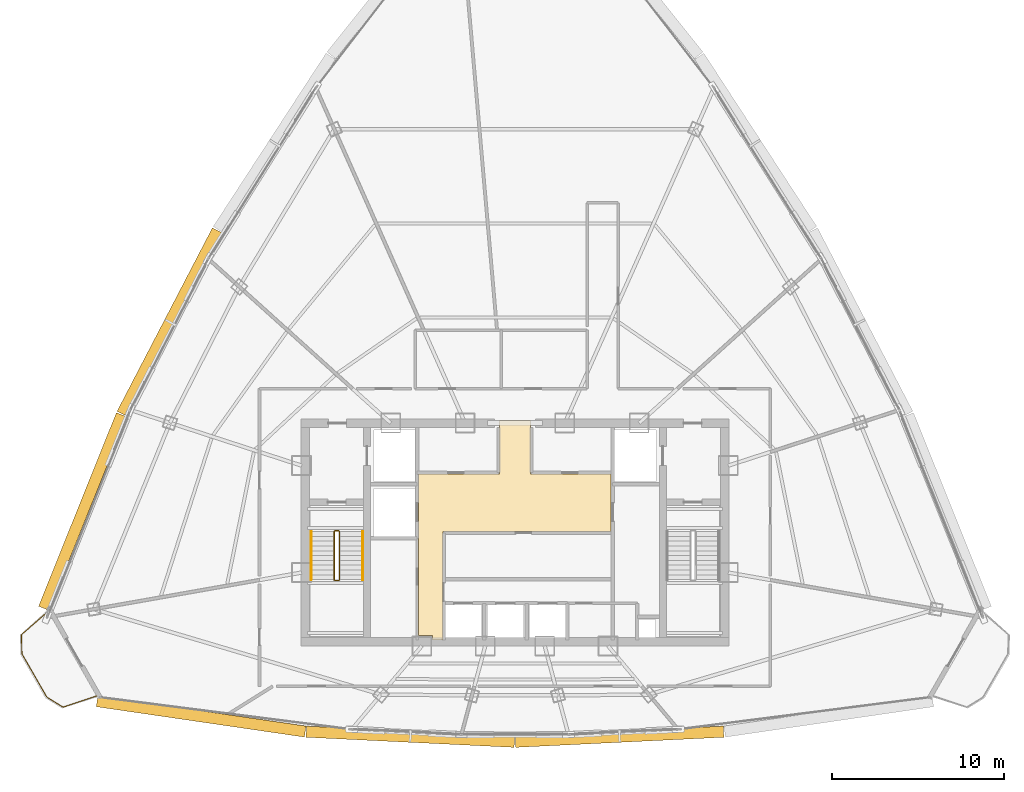
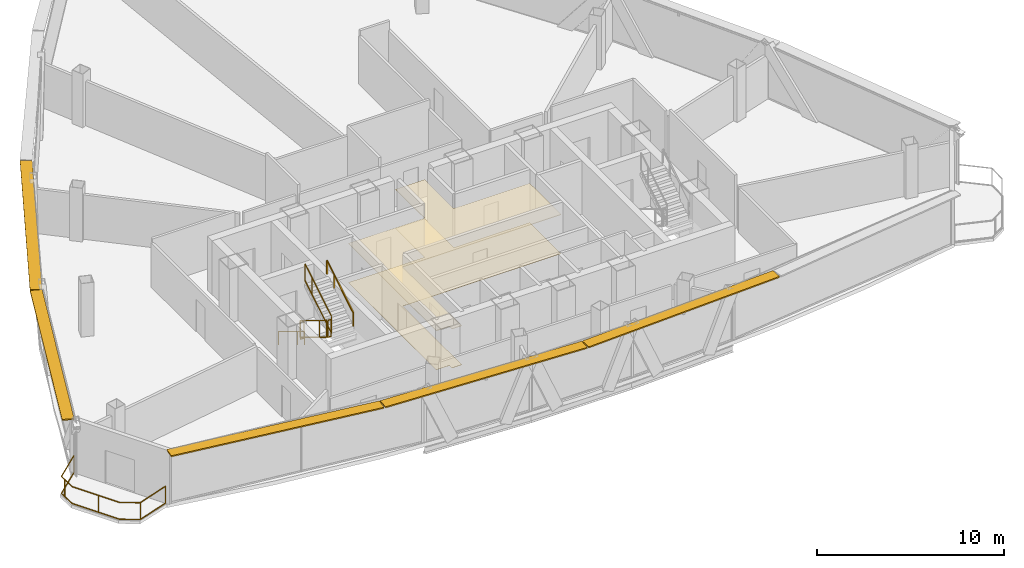
# One storey, part 28 of 30: 7 railings, 5 shading devices, 2 coverings.
"""IFC4 building model written with IfcOpenShell, lengths in metres."""

from ifc_helpers import new_model, si_unit, direction, frame, origin, origin_2d, place, context, subcontext, project, spatial, polyline, rectangle, outline, extrude, source, transform, mapped, material, layer, layer_set, type_object, element, save


model = new_model("IFC4")

# Units and contexts
model_context = context("Model", 3, precision=1e-05, world=origin(), true_north=direction((0.0, 1.0)))
body_context = subcontext(model_context, "Body", "Model", "MODEL_VIEW")
ifc_project = project(units=[si_unit("LENGTHUNIT", "METRE"), si_unit("AREAUNIT", "SQUARE_METRE"), si_unit("VOLUMEUNIT", "CUBIC_METRE"), si_unit("PLANEANGLEUNIT", "RADIAN"), si_unit("MASSUNIT", "GRAM", prefix="KILO"), si_unit("THERMODYNAMICTEMPERATUREUNIT", "KELVIN"), si_unit("POWERUNIT", "WATT")], contexts=[model_context])

# Site, building, storey
site_placement = place(None, origin())
site = spatial("IfcSite", under=ifc_project, at=site_placement, CompositionType="ELEMENT")
building_placement = place(site_placement, origin())
building = spatial("IfcBuilding", under=site, at=building_placement, Name="Yunzhuo Pagoda Commons", CompositionType="ELEMENT")
storey_placement = place(building_placement, frame((0.0, 0.0, 348.010009765625)))
storey = spatial("IfcBuildingStorey", under=building, at=storey_placement, Name="L87", CompositionType="ELEMENT", Elevation=348.010009765625)

# Coverings
ifc_material_1 = material(Name="Micro-perforated metal baffle ceiling")
ifc_layer_1 = layer(ifc_material_1, 0.034912109375)
ifc_layer_set_1 = layer_set([ifc_layer_1], Name="Micro-perforated metal baffle ceiling")
covering_type_1 = type_object("IfcCoveringType", Name="COV-CL3 Ceiling 35", PredefinedType="CEILING", material=ifc_layer_set_1)
covering_1_placement = place(storey_placement, frame((0.0, 0.0, 2.5400390625)))
element("IfcCovering", 1, at=covering_1_placement, inside=storey, type_object=covering_type_1, Name="L87 lift lobby acoustic ceiling", PredefinedType="CEILING", context=body_context, shape_type="SweptSolid", body=[
    extrude(outline(polyline([(43.207763671875, 27.85009765625), (43.201904296875, 27.864013671875), (43.187744140625, 27.8701171875), (42.39990234375, 27.8701171875), (42.39990234375, 33.89990234375), (42.39990234375, 37.25), (47.10009765625, 37.25), (47.10009765625, 40.35009765625), (48.89990234375, 40.35009765625), (48.89990234375, 37.25), (53.580078125, 37.25), (53.580078125, 33.89990234375), (43.820068359375, 33.89990234375), (43.820068359375, 27.60009765625), (43.207763671875, 27.60009765625), (43.207763671875, 27.85009765625)])), origin(), (0.0, 0.0, 1.0), 0.034912109375),
])
ifc_material_2 = material(Name="Resilient acoustic studio flooring")
ifc_layer_2 = layer(ifc_material_2, 0.01806640625)
ifc_layer_set_2 = layer_set([ifc_layer_2], Name="Resilient acoustic studio flooring")
covering_type_2 = type_object("IfcCoveringType", Name="COV-FL3 Flooring 18", PredefinedType="FLOORING", material=ifc_layer_set_2)
covering_2_placement = place(storey_placement, origin())
element("IfcCovering", 2, at=covering_2_placement, inside=storey, type_object=covering_type_2, Name="L87 lift lobby flooring", PredefinedType="FLOORING", context=body_context, shape_type="SweptSolid", body=[
    extrude(outline(polyline([(43.207763671875, 27.85009765625), (43.201904296875, 27.864013671875), (43.187744140625, 27.8701171875), (42.39990234375, 27.8701171875), (42.39990234375, 33.89990234375), (42.39990234375, 37.25), (47.10009765625, 37.25), (47.10009765625, 40.35009765625), (48.89990234375, 40.35009765625), (48.89990234375, 37.25), (53.580078125, 37.25), (53.580078125, 33.89990234375), (43.820068359375, 33.89990234375), (43.820068359375, 27.60009765625), (43.207763671875, 27.60009765625), (43.207763671875, 27.85009765625)])), origin(), (0.0, 0.0, 1.0), 0.01806640625),
])

# Railings
ifc_material_3 = material(Name="Anodized aluminium 6063-T6", Category="aluminium")
railing_type_1 = type_object("IfcRailingType", Name="GR-ST1 Stair Well Guardrail 1150", PredefinedType="GUARDRAIL", material=ifc_material_3)
railing_1_placement = place(storey_placement, frame((37.5, 33.89990234375, 0.17041015625)))
element("IfcRailing", 3, at=railing_1_placement, inside=storey, type_object=railing_type_1, Name="L87 ST1 stair guard 1", PredefinedType="GUARDRAIL", context=body_context, shape_type="SweptSolid", body=[
    extrude(rectangle(XDim=0.048095703125, YDim=0.048095703125, at=origin_2d()), frame((0.0, 0.0, 1.1259765625), z_axis=(0.0, -0.854149651119, 0.520027281489), x_axis=(1.0, 0.0, 0.0)), (0.0, 0.0, 1.0), 3.27783203125),
    extrude(rectangle(XDim=0.048095703125, YDim=0.048095703125, at=origin_2d()), frame((0.0, 0.0, 0.02392578125), z_axis=(0.0, -0.854149651119, 0.520027281489), x_axis=(1.0, 0.0, 0.0)), (0.0, 0.0, 1.0), 3.27783203125),
    extrude(rectangle(XDim=0.0419921875, YDim=0.0419921875, at=origin_2d()), origin(), (0.0, 0.0, 1.0), 1.101806640625),
    extrude(rectangle(XDim=0.0419921875, YDim=0.0419921875, at=origin_2d()), frame((0.0, -2.050048828125, 1.248046875)), (0.0, 0.0, 1.0), 1.101806640625),
    extrude(rectangle(XDim=0.0419921875, YDim=0.0419921875, at=origin_2d()), frame((0.0, -2.7998046875, 1.70458984375)), (0.0, 0.0, 1.0), 1.101806640625),
])
railing_2_placement = place(storey_placement, frame((37.550048828125, 31.050048828125, 1.875)))
element("IfcRailing", 4, at=railing_2_placement, inside=storey, type_object=railing_type_1, Name="L87 ST1 stair guard 2", PredefinedType="GUARDRAIL", context=body_context, shape_type="SweptSolid", body=[
    extrude(rectangle(XDim=0.048095703125, YDim=0.048095703125, at=origin_2d()), frame((0.0, 0.0, 1.1259765625), z_axis=(1.0, 0.0, 0.0), x_axis=(0.0, 1.0, 0.0)), (0.0, 0.0, 1.0), 0.199951171875),
    extrude(rectangle(XDim=0.048095703125, YDim=0.048095703125, at=origin_2d()), frame((0.0, 0.0, 0.02392578125), z_axis=(1.0, 0.0, 0.0), x_axis=(0.0, 1.0, 0.0)), (0.0, 0.0, 1.0), 0.199951171875),
    extrude(rectangle(XDim=0.0419921875, YDim=0.0419921875, at=origin_2d()), origin(), (0.0, 0.0, 1.0), 1.101806640625),
    extrude(rectangle(XDim=0.0419921875, YDim=0.0419921875, at=origin_2d()), frame((0.199951171875, 0.0, 0.0)), (0.0, 0.0, 1.0), 1.101806640625),
])
railing_3_placement = place(storey_placement, frame((37.800048828125, 31.10009765625, 2.04541015625)))
element("IfcRailing", 5, at=railing_3_placement, inside=storey, type_object=railing_type_1, Name="L87 ST1 stair guard 3", PredefinedType="GUARDRAIL", context=body_context, shape_type="SweptSolid", body=[
    extrude(rectangle(XDim=0.048095703125, YDim=0.048095703125, at=origin_2d()), frame((0.0, 0.0, 1.1259765625), z_axis=(0.0, 0.854149651119, 0.520027281489), x_axis=(-1.0, 0.0, 0.0)), (0.0, 0.0, 1.0), 3.27783203125),
    extrude(rectangle(XDim=0.048095703125, YDim=0.048095703125, at=origin_2d()), frame((0.0, 0.0, 0.02392578125), z_axis=(0.0, 0.854149651119, 0.520027281489), x_axis=(-1.0, 0.0, 0.0)), (0.0, 0.0, 1.0), 3.27783203125),
    extrude(rectangle(XDim=0.0419921875, YDim=0.0419921875, at=origin_2d()), origin(), (0.0, 0.0, 1.0), 1.101806640625),
    extrude(rectangle(XDim=0.0419921875, YDim=0.0419921875, at=origin_2d()), frame((0.0, 2.050048828125, 1.248046875)), (0.0, 0.0, 1.0), 1.101806640625),
    extrude(rectangle(XDim=0.0419921875, YDim=0.0419921875, at=origin_2d()), frame((0.0, 2.7998046875, 1.70458984375)), (0.0, 0.0, 1.0), 1.101806640625),
])
railing_4_placement = place(storey_placement, frame((37.550048828125, 33.949951171875, 0.0)))
element("IfcRailing", 6, at=railing_4_placement, inside=storey, type_object=railing_type_1, Name="L87 ST1 stair guard 4", PredefinedType="GUARDRAIL", context=body_context, shape_type="SweptSolid", body=[
    extrude(rectangle(XDim=0.048095703125, YDim=0.048095703125, at=origin_2d()), frame((0.0, 0.0, 1.1259765625), z_axis=(1.0, 0.0, 0.0), x_axis=(0.0, 1.0, 0.0)), (0.0, 0.0, 1.0), 0.199951171875),
    extrude(rectangle(XDim=0.048095703125, YDim=0.048095703125, at=origin_2d()), frame((0.0, 0.0, 0.02392578125), z_axis=(1.0, 0.0, 0.0), x_axis=(0.0, 1.0, 0.0)), (0.0, 0.0, 1.0), 0.199951171875),
    extrude(rectangle(XDim=0.0419921875, YDim=0.0419921875, at=origin_2d()), origin(), (0.0, 0.0, 1.0), 1.101806640625),
    extrude(rectangle(XDim=0.0419921875, YDim=0.0419921875, at=origin_2d()), frame((0.199951171875, 0.0, 0.0)), (0.0, 0.0, 1.0), 1.101806640625),
])
railing_type_2 = type_object("IfcRailingType", Name="HR-ST1 Stair Handrail 900", PredefinedType="HANDRAIL", material=ifc_material_3)
railing_5_placement = place(storey_placement, frame((36.14990234375, 33.89990234375, 0.17041015625)))
element("IfcRailing", 7, at=railing_5_placement, inside=storey, type_object=railing_type_2, Name="L87 ST1 stair handrail 1", PredefinedType="HANDRAIL", context=body_context, shape_type="SweptSolid", body=[
    extrude(rectangle(XDim=0.048095703125, YDim=0.048095703125, at=origin_2d()), frame((0.0, 0.0, 0.8759765625), z_axis=(0.0, -0.854149651119, 0.520027281489), x_axis=(1.0, 0.0, 0.0)), (0.0, 0.0, 1.0), 3.27783203125),
    extrude(rectangle(XDim=0.0419921875, YDim=0.0419921875, at=origin_2d()), origin(), (0.0, 0.0, 1.0), 0.851806640625),
    extrude(rectangle(XDim=0.0419921875, YDim=0.0419921875, at=origin_2d()), frame((0.0, -2.050048828125, 1.248046875)), (0.0, 0.0, 1.0), 0.851806640625),
    extrude(rectangle(XDim=0.0419921875, YDim=0.0419921875, at=origin_2d()), frame((0.0, -2.7998046875, 1.70458984375)), (0.0, 0.0, 1.0), 0.851806640625),
])
railing_6_placement = place(storey_placement, frame((39.14990234375, 31.10009765625, 2.04541015625)))
element("IfcRailing", 8, at=railing_6_placement, inside=storey, type_object=railing_type_2, Name="L87 ST1 stair handrail 2", PredefinedType="HANDRAIL", context=body_context, shape_type="SweptSolid", body=[
    extrude(rectangle(XDim=0.048095703125, YDim=0.048095703125, at=origin_2d()), frame((0.0, 0.0, 0.8759765625), z_axis=(0.0, 0.854149651119, 0.520027281489), x_axis=(-1.0, 0.0, 0.0)), (0.0, 0.0, 1.0), 3.27783203125),
    extrude(rectangle(XDim=0.0419921875, YDim=0.0419921875, at=origin_2d()), origin(), (0.0, 0.0, 1.0), 0.851806640625),
    extrude(rectangle(XDim=0.0419921875, YDim=0.0419921875, at=origin_2d()), frame((0.0, 2.050048828125, 1.248046875)), (0.0, 0.0, 1.0), 0.851806640625),
    extrude(rectangle(XDim=0.0419921875, YDim=0.0419921875, at=origin_2d()), frame((0.0, 2.7998046875, 1.70458984375)), (0.0, 0.0, 1.0), 0.851806640625),
])
railing_type_3 = type_object("IfcRailingType", Name="RL-BAL1 Exterior Terrace & Balcony Balustrade 1150", PredefinedType="BALUSTRADE", material=ifc_material_3)
railing_7_placement = place(storey_placement, frame((20.867431640625, 29.257080078125, 0.0)))
element("IfcRailing", 9, at=railing_7_placement, inside=storey, type_object=railing_type_3, Name="L87 corner balcony balustrade V1", PredefinedType="BALUSTRADE", context=body_context, shape_type="SweptSolid", body=[
    extrude(rectangle(XDim=0.048095703125, YDim=0.048095703125, at=origin_2d()), frame((0.0, 0.0, 1.1259765625), z_axis=(-0.753984993137, -0.656891642605, 0.0), x_axis=(0.656891642605, -0.753984993137, 0.0)), (0.0, 0.0, 1.0), 2.059326171875),
    extrude(rectangle(XDim=0.048095703125, YDim=0.048095703125, at=origin_2d()), frame((0.0, 0.0, 0.02392578125), z_axis=(-0.753984993137, -0.656891642605, 0.0), x_axis=(0.656891642605, -0.753984993137, 0.0)), (0.0, 0.0, 1.0), 2.059326171875),
    extrude(rectangle(XDim=0.048095703125, YDim=0.048095703125, at=origin_2d()), frame((-1.552734375, -1.352783203125, 1.1259765625), z_axis=(0.023750447686, -0.999717918332, 0.0), x_axis=(0.999717918332, 0.023750447686, 0.0)), (0.0, 0.0, 1.0), 1.110107421875),
    extrude(rectangle(XDim=0.048095703125, YDim=0.048095703125, at=origin_2d()), frame((-1.552734375, -1.352783203125, 0.02392578125), z_axis=(0.023750447686, -0.999717918332, 0.0), x_axis=(0.999717918332, 0.023750447686, 0.0)), (0.0, 0.0, 1.0), 1.110107421875),
    extrude(rectangle(XDim=0.048095703125, YDim=0.048095703125, at=origin_2d()), frame((-1.5263671875, -2.462646484375, 1.1259765625), z_axis=(0.497899056357, -0.867234991037, 0.0), x_axis=(0.867234991037, 0.497899056357, 0.0)), (0.0, 0.0, 1.0), 2.9111328125),
    extrude(rectangle(XDim=0.048095703125, YDim=0.048095703125, at=origin_2d()), frame((-1.5263671875, -2.462646484375, 0.02392578125), z_axis=(0.497899056357, -0.867234991037, 0.0), x_axis=(0.867234991037, 0.497899056357, 0.0)), (0.0, 0.0, 1.0), 2.9111328125),
    extrude(rectangle(XDim=0.048095703125, YDim=0.048095703125, at=origin_2d()), frame((-0.076904296875, -4.9873046875, 1.1259765625), z_axis=(0.851499755437, -0.524355000444, 0.0), x_axis=(0.524355000444, 0.851499755437, 0.0)), (0.0, 0.0, 1.0), 1.1103515625),
    extrude(rectangle(XDim=0.048095703125, YDim=0.048095703125, at=origin_2d()), frame((-0.076904296875, -4.9873046875, 0.02392578125), z_axis=(0.851499755437, -0.524355000444, 0.0), x_axis=(0.524355000444, 0.851499755437, 0.0)), (0.0, 0.0, 1.0), 1.1103515625),
    extrude(rectangle(XDim=0.048095703125, YDim=0.048095703125, at=origin_2d()), frame((0.86865234375, -5.569580078125, 1.1259765625), z_axis=(0.947419062147, 0.319995501031, 0.0), x_axis=(-0.319995501031, 0.947419062147, 0.0)), (0.0, 0.0, 1.0), 2.05908203125),
    extrude(rectangle(XDim=0.048095703125, YDim=0.048095703125, at=origin_2d()), frame((0.86865234375, -5.569580078125, 0.02392578125), z_axis=(0.947419062147, 0.319995501031, 0.0), x_axis=(-0.319995501031, 0.947419062147, 0.0)), (0.0, 0.0, 1.0), 2.05908203125),
    extrude(rectangle(XDim=0.0419921875, YDim=0.0419921875, at=origin_2d()), origin(), (0.0, 0.0, 1.0), 1.101806640625),
    extrude(rectangle(XDim=0.0419921875, YDim=0.0419921875, at=origin_2d()), frame((-1.544677734375, -1.693359375, 0.0)), (0.0, 0.0, 1.0), 1.101806640625),
    extrude(rectangle(XDim=0.0419921875, YDim=0.0419921875, at=origin_2d()), frame((-0.714599609375, -3.876708984375, 0.0)), (0.0, 0.0, 1.0), 1.101806640625),
    extrude(rectangle(XDim=0.0419921875, YDim=0.0419921875, at=origin_2d()), frame((0.876953125, -5.566650390625, 0.0)), (0.0, 0.0, 1.0), 1.101806640625),
    extrude(rectangle(XDim=0.0419921875, YDim=0.0419921875, at=origin_2d()), frame((2.819580078125, -4.91064453125, 0.0)), (0.0, 0.0, 1.0), 1.101806640625),
])

# Shading devices
ifc_layer_3 = layer(ifc_material_3, 0.080078125)
ifc_layer_set_3 = layer_set([ifc_layer_3], Name="Anodized aluminium 6063-T6")
shading_device_type = type_object("IfcShadingDeviceType", Name="SH-SUN1 Pagoda Horizontal Sunshade Eave 650", PredefinedType="USERDEFINED", material=ifc_layer_set_3)
shared_shape_1 = source(origin(), body_context, "Body", "SweptSolid", [
    extrude(rectangle(XDim=12.22509765625, YDim=0.64990234375, at=origin_2d()), origin(), (0.0, 0.0, 1.0), 0.080078125),
])
shading_device_1_placement = place(storey_placement, frame((29.760498046875, 23.15380859375, 3.409912109375), z_axis=(0.0, 0.0, 1.0), x_axis=(0.989510666697, -0.144459823108, 0.0)))
element("IfcShadingDevice", 10, at=shading_device_1_placement, inside=storey, type_object=shading_device_type, Name="L87 horizontal pagoda sunshade eave F1.1", ObjectType="SUNSHADE", PredefinedType="USERDEFINED", context=body_context, shape_type="MappedRepresentation", body=[
    mapped(shared_shape_1, transform((0.0, 0.0, 0.0), scale=1.0)),
])
shared_shape_2 = source(origin(), body_context, "Body", "SweptSolid", [
    extrude(rectangle(XDim=12.111083984375, YDim=0.64990234375, at=origin_2d()), origin(), (0.0, 0.0, 1.0), 0.080078125),
])
for number, where, z_axis, x_axis, name in (
    (11, (41.919921875, 21.97021484375, 3.409912109375), (0.0, 0.0, 1.0), (0.998818891953, -0.048588281289, 0.0), "L87 horizontal pagoda sunshade eave F1.2"),
    (12, (54.080078125, 21.97021484375, 3.409912109375), (0.0, 0.0, 1.0), (0.998818891953, 0.048588281289, 0.0), "L87 horizontal pagoda sunshade eave F1.3"),
):
    element("IfcShadingDevice", number, at=place(storey_placement, frame(where, z_axis=z_axis, x_axis=x_axis)), inside=storey, type_object=shading_device_type, Name=name, ObjectType="SUNSHADE", PredefinedType="USERDEFINED", context=body_context, shape_type="MappedRepresentation", body=[
        mapped(shared_shape_2, transform((0.0, 0.0, 0.0), scale=1.0)),
    ])
shared_shape_3 = source(origin(), body_context, "Body", "SweptSolid", [
    extrude(rectangle(XDim=12.126953125, YDim=0.64990234375, at=origin_2d()), origin(), (0.0, 0.0, 1.0), 0.080078125),
])
shading_device_2_placement = place(storey_placement, frame((22.8740234375, 35.060302734375, 3.409912109375), z_axis=(0.0, 0.0, 1.0), x_axis=(-0.373003976317, -0.927829743893, 0.0)))
element("IfcShadingDevice", 13, at=shading_device_2_placement, inside=storey, type_object=shading_device_type, Name="L87 horizontal pagoda sunshade eave F3.4", ObjectType="SUNSHADE", PredefinedType="USERDEFINED", context=body_context, shape_type="MappedRepresentation", body=[
    mapped(shared_shape_3, transform((0.0, 0.0, 0.0), scale=1.0)),
])
shared_shape_4 = source(origin(), body_context, "Body", "SweptSolid", [
    extrude(rectangle(XDim=12.01171875, YDim=0.64990234375, at=origin_2d()), origin(), (0.0, 0.0, 1.0), 0.080078125),
])
shading_device_3_placement = place(storey_placement, frame((27.931884765625, 46.07275390625, 3.409912109375), z_axis=(0.0, 0.0, 1.0), x_axis=(-0.461191196783, -0.88730078328, 0.0)))
element("IfcShadingDevice", 14, at=shading_device_3_placement, inside=storey, type_object=shading_device_type, Name="L87 horizontal pagoda sunshade eave F3.3", ObjectType="SUNSHADE", PredefinedType="USERDEFINED", context=body_context, shape_type="MappedRepresentation", body=[
    mapped(shared_shape_4, transform((0.0, 0.0, 0.0), scale=1.0)),
])

save(model, "model.ifc")
